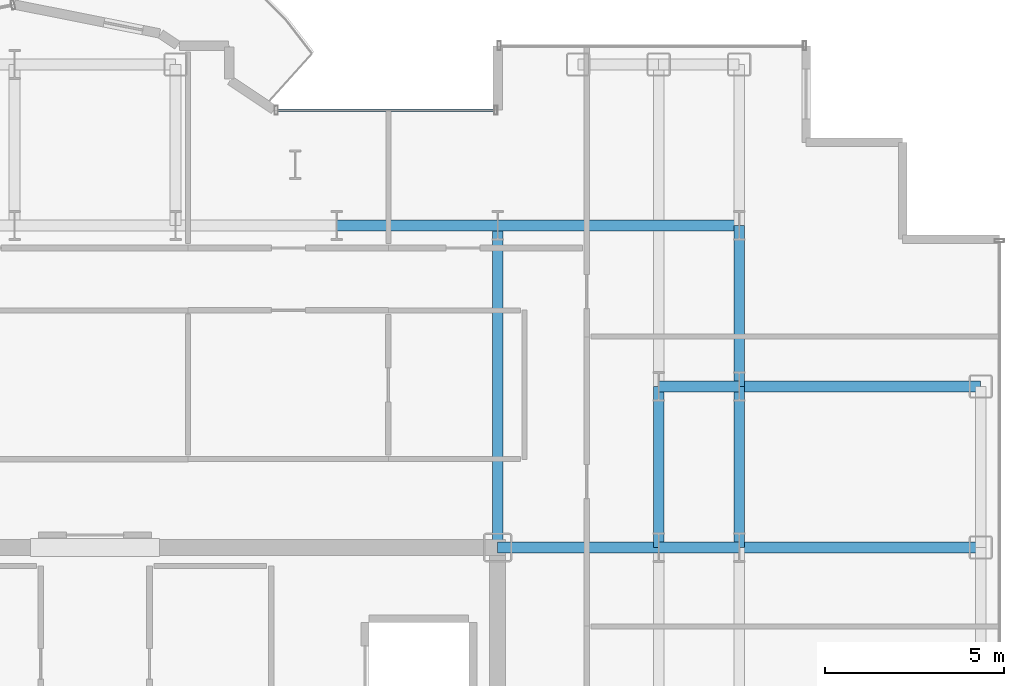
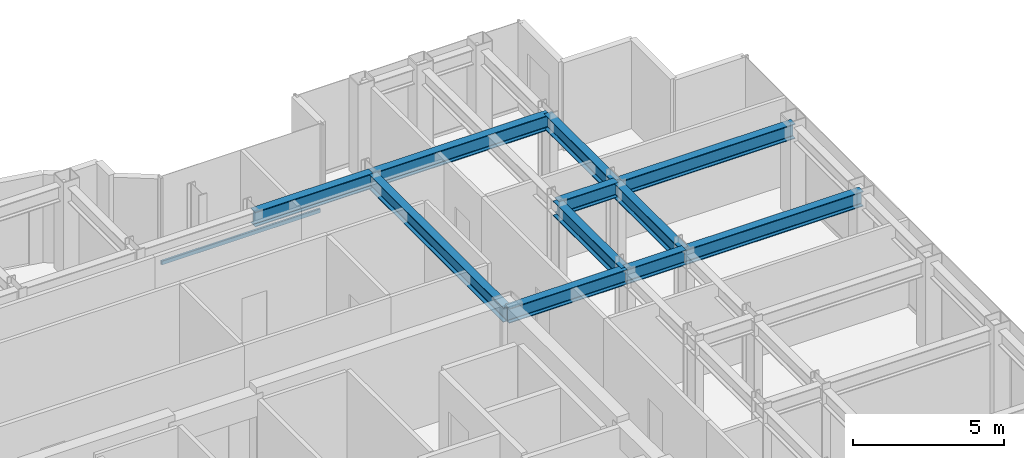
# One storey, part 11 of 21: 11 beams, 1 member, 1 element without a shape of its own.
"""IFC4 building model written with IfcOpenShell, lengths in metres."""

import ifcopenshell
import ifcopenshell.guid

model = None  # the IFC model being written
_history = None  # IfcOwnerHistory: only IFC2X3 demands one
_inside = {}  # id of a spatial element -> (the spatial element, [elements in it])
_under = {}  # id of a project, library or spatial element -> (it, [spatial elements below it])
_declared = {}  # id of a project -> (the project, [libraries it declares])
_typed = {}  # id of a type object -> (the type object, [elements of that type])
_made_of = {}  # id of a material, layer set ... -> (it, [elements and type objects made of it])


def new_model(schema):
    """Start an empty IFC model of exactly this schema.

    Asked for "IFC4X3", IfcOpenShell would pick the latest addendum, in which some entities
    have other attributes; the version numbers below select the first issue.
    IFC2X3 requires an IfcOwnerHistory on every rooted entity: one is made here for all.
    """
    global model, _history
    if schema == "IFC4X3":
        model = ifcopenshell.file(schema_version=(4, 3, 0, 0))
    else:
        model = ifcopenshell.file(schema=schema)
    _inside.clear()
    _under.clear()
    _declared.clear()
    _typed.clear()
    _made_of.clear()
    _history = None
    if model.schema == "IFC2X3":
        org = make("IfcOrganization", Name="unknown")
        user = make(
            "IfcPersonAndOrganization",
            ThePerson=make("IfcPerson", FamilyName="unknown"),
            TheOrganization=org,
        )
        app = make(
            "IfcApplication",
            ApplicationDeveloper=org,
            Version="unknown",
            ApplicationFullName="unknown",
            ApplicationIdentifier="unknown",
        )
        _history = make(
            "IfcOwnerHistory",
            OwningUser=user,
            OwningApplication=app,
            ChangeAction="ADDED",
            CreationDate=0,
        )
    return model


def make(cls, **values):
    """One entity of the class cls with the attributes given. An attribute that is None is left unset."""
    return model.create_entity(
        cls, **{name: value for name, value in values.items() if value is not None}
    )


def rooted(cls, **values):
    """An entity with a GlobalId (a new one), such as an element, a storey or a relation."""
    return make(cls, GlobalId=ifcopenshell.guid.new(), OwnerHistory=_history, **values)


def si_unit(unit_type, name, prefix=None):
    """IfcSIUnit, for example si_unit("LENGTHUNIT", "METRE", prefix="MILLI")."""
    return make("IfcSIUnit", UnitType=unit_type, Prefix=prefix, Name=name)


def assignment(units):
    """IfcUnitAssignment: the units of a project."""
    return None if units is None else make("IfcUnitAssignment", Units=units)


def point(xyz):
    """IfcCartesianPoint."""
    return None if xyz is None else make("IfcCartesianPoint", Coordinates=xyz)


def direction(xyz):
    """IfcDirection."""
    return None if xyz is None else make("IfcDirection", DirectionRatios=xyz)


def frame(location, z_axis=None, x_axis=None):
    """IfcAxis2Placement3D, a coordinate frame: its origin and axes. An axis left out is left unset."""
    return make(
        "IfcAxis2Placement3D",
        Location=point(location),
        Axis=direction(z_axis),
        RefDirection=direction(x_axis),
    )


def frame_2d(location, x_axis=None):
    """IfcAxis2Placement2D, a coordinate frame in the plane: its origin and x axis."""
    return make(
        "IfcAxis2Placement2D", Location=point(location), RefDirection=direction(x_axis)
    )


def origin():
    """The frame at (0, 0, 0) with its axes left unset."""
    return frame((0.0, 0.0, 0.0))


def origin_2d():
    """The frame at (0, 0) in the plane with its x axis left unset."""
    return frame_2d((0.0, 0.0))


def place(relative_to, where):
    """IfcLocalPlacement: puts the frame where relative to a parent placement (None: the world)."""
    return make(
        "IfcLocalPlacement", PlacementRelTo=relative_to, RelativePlacement=where
    )


def context(
    kind, dimensions, precision=None, world=None, true_north=None, identifier=None
):
    """IfcGeometricRepresentationContext, for example the 3D "Model" context."""
    return make(
        "IfcGeometricRepresentationContext",
        ContextIdentifier=identifier,
        ContextType=kind,
        CoordinateSpaceDimension=dimensions,
        Precision=precision,
        WorldCoordinateSystem=world,
        TrueNorth=true_north,
    )


def subcontext(parent, identifier, kind, view, scale=None):
    """IfcGeometricRepresentationSubContext, for example "Body" below "Model"."""
    return make(
        "IfcGeometricRepresentationSubContext",
        ContextIdentifier=identifier,
        ContextType=kind,
        ParentContext=parent,
        TargetScale=scale,
        TargetView=view,
    )


def project(units=None, contexts=None):
    """IfcProject with its units and contexts."""
    return rooted(
        "IfcProject",
        Name="project",
        RepresentationContexts=contexts,
        UnitsInContext=assignment(units),
    )


def spatial(cls, under=None, at=None, **own):
    """A site, building, storey or space (cls), placed at a placement, below another one or the project."""
    s = rooted(cls, ObjectPlacement=at, **own)
    if under is not None:
        _under.setdefault(under.id(), (under, []))[1].append(s)
    return s


def profile(cls, at=None, kind="AREA", **sizes):
    """A parametric profile (cls). Its sizes go by their IFC names, for example OverallWidth=200.0."""
    return make(cls, ProfileType=kind, Position=at, **sizes)


def hollow_rectangle(**sizes):
    """IfcRectangleHollowProfileDef."""
    return profile("IfcRectangleHollowProfileDef", **sizes)


def i_section(**sizes):
    """IfcIShapeProfileDef."""
    return profile("IfcIShapeProfileDef", **sizes)


def extrude(swept, where, along, depth):
    """IfcExtrudedAreaSolid: the profile swept, set in the frame where, extruded along a direction by depth."""
    return make(
        "IfcExtrudedAreaSolid",
        SweptArea=swept,
        Position=where,
        ExtrudedDirection=direction(along),
        Depth=depth,
    )


def shape(context_of_items, identifier, shape_type, items):
    """IfcShapeRepresentation: the items that make up one representation, for example the "Body"."""
    return make(
        "IfcShapeRepresentation",
        ContextOfItems=context_of_items,
        RepresentationIdentifier=identifier,
        RepresentationType=shape_type,
        Items=items,
    )


def source(mapping_origin, context_of_items, identifier, shape_type, items):
    """IfcRepresentationMap: a shape defined once, which mapped items show again and again."""
    return make(
        "IfcRepresentationMap",
        MappingOrigin=mapping_origin,
        MappedRepresentation=shape(context_of_items, identifier, shape_type, items),
    )


def transform(
    local_origin,
    x_axis=None,
    y_axis=None,
    z_axis=None,
    scale=None,
    scale2=None,
    scale3=None,
    uniform=True,
):
    """IfcCartesianTransformationOperator3D, or its non-uniform kind. x_axis, y_axis, z_axis: its Axis1, 2, 3."""
    if uniform:
        return make(
            "IfcCartesianTransformationOperator3D",
            Axis1=direction(x_axis),
            Axis2=direction(y_axis),
            LocalOrigin=point(local_origin),
            Scale=scale,
            Axis3=direction(z_axis),
        )
    return make(
        "IfcCartesianTransformationOperator3DnonUniform",
        Axis1=direction(x_axis),
        Axis2=direction(y_axis),
        LocalOrigin=point(local_origin),
        Scale=scale,
        Axis3=direction(z_axis),
        Scale2=scale2,
        Scale3=scale3,
    )


def mapped(mapping_source, mapping_target):
    """IfcMappedItem: shows the shape of a source again, moved by a transform."""
    return make(
        "IfcMappedItem", MappingSource=mapping_source, MappingTarget=mapping_target
    )


def material(Name=None, Category=None):
    """IfcMaterial."""
    return make("IfcMaterial", Name=Name, Category=Category)


def layer(
    of_material, thickness, ventilated=None, Name=None, Category=None, Priority=None
):
    """IfcMaterialLayer: one layer of a wall or slab, of a material (None: an air gap)."""
    return make(
        "IfcMaterialLayer",
        Material=of_material,
        LayerThickness=thickness,
        IsVentilated=ventilated,
        Name=Name,
        Category=Category,
        Priority=Priority,
    )


def layer_set(layers, Name=None):
    """IfcMaterialLayerSet."""
    return make("IfcMaterialLayerSet", MaterialLayers=layers, LayerSetName=Name)


def material_profile(
    of_material, cross_section, Name=None, Category=None, Priority=None
):
    """IfcMaterialProfile: a cross section and its material."""
    return make(
        "IfcMaterialProfile",
        Name=Name,
        Material=of_material,
        Profile=cross_section,
        Priority=Priority,
        Category=Category,
    )


def profile_set(profiles, Name=None, composite=None):
    """IfcMaterialProfileSet."""
    return make(
        "IfcMaterialProfileSet",
        Name=Name,
        MaterialProfiles=profiles,
        CompositeProfile=composite,
    )


def made_of(thing, what):
    """Note that an element or type object is made of a material, layer set ...; save() writes the relation."""
    if what is not None:
        _made_of.setdefault(what.id(), (what, []))[1].append(thing)
    return thing


def type_object(cls, material=None, **own):
    """A type object (cls), such as IfcWallType, which elements share."""
    return made_of(rooted(cls, **own), material)


def element(
    cls,
    number,
    at=None,
    inside=None,
    cuts=None,
    type_object=None,
    material=None,
    context=None,
    identifier="Body",
    shape_type=None,
    held_by="IfcProductDefinitionShape",
    body=None,
    shapes=None,
    **own,
):
    """One element of the class cls, such as IfcWall. Its Tag is "e" and its number.

    at: its placement. inside: the storey or other place that contains it. cuts: it is an
    opening in that element (IfcRelVoidsElement). A single representation is given by context,
    identifier, shape_type and body (its items); several are given by shapes. held_by: the class
    of the entity that holds the representations. save() writes the other relations.
    """
    e = rooted(cls, Tag="e%d" % number, ObjectPlacement=at, **own)
    if body is not None:
        shapes = [shape(context, identifier, shape_type, body)]
    if shapes is not None:
        e.Representation = make(held_by, Representations=shapes)
    if inside is not None:
        _inside.setdefault(inside.id(), (inside, []))[1].append(e)
    if cuts is not None:
        rooted(
            "IfcRelVoidsElement", RelatingBuildingElement=cuts, RelatedOpeningElement=e
        )
    if type_object is not None:
        _typed.setdefault(type_object.id(), (type_object, []))[1].append(e)
    return made_of(e, material)


def aggregate(whole, parts):
    """IfcRelAggregates: a whole, such as a stair, and the parts it consists of."""
    return rooted("IfcRelAggregates", RelatingObject=whole, RelatedObjects=parts)


def save(model, path):
    """Write the relations noted so far, then the file.

    IfcRelAggregates (storeys below a building ...), IfcRelContainedInSpatialStructure (elements
    in a storey), IfcRelDefinesByType, IfcRelAssociatesMaterial and IfcRelDeclares: one each for
    every whole, place, type object, material and project.
    """
    for whole, parts in _under.values():
        aggregate(whole, parts)
    for where, things in _inside.values():
        rooted(
            "IfcRelContainedInSpatialStructure",
            RelatedElements=things,
            RelatingStructure=where,
        )
    for kind, things in _typed.values():
        rooted("IfcRelDefinesByType", RelatedObjects=things, RelatingType=kind)
    for what, things in _made_of.values():
        rooted("IfcRelAssociatesMaterial", RelatedObjects=things, RelatingMaterial=what)
    for by, libraries in _declared.values():
        rooted("IfcRelDeclares", RelatingContext=by, RelatedDefinitions=libraries)
    model.write(path)


model = new_model("IFC4")

# Units and contexts
model_context = context("Model", 3, precision=1e-05, world=origin(), true_north=direction((0.0, 1.0)))
body_context = subcontext(model_context, "Body", "Model", "MODEL_VIEW")
ifc_project = project(units=[si_unit("LENGTHUNIT", "METRE"), si_unit("AREAUNIT", "SQUARE_METRE"), si_unit("VOLUMEUNIT", "CUBIC_METRE"), si_unit("PLANEANGLEUNIT", "RADIAN"), si_unit("MASSUNIT", "GRAM", prefix="KILO")], contexts=[model_context])

# Site, building, storey
site_placement = place(None, origin())
site = spatial("IfcSite", under=ifc_project, at=site_placement, CompositionType="ELEMENT")
building_placement = place(site_placement, origin())
building = spatial("IfcBuilding", under=site, at=building_placement, Name="Nefas-Gora Pilgrimage Tower", CompositionType="ELEMENT")
storey_placement = place(building_placement, frame((0.0, 0.0, 210.39990234375)))
storey = spatial("IfcBuildingStorey", under=building, at=storey_placement, Name="L52", CompositionType="ELEMENT", Elevation=210.39990234375)

# Beams
ifc_material_1 = material(Name="Steel S355", Category="steel")
ifc_material_profile_1 = material_profile(ifc_material_1, i_section(OverallWidth=0.300048828125, OverallDepth=0.60009765625, WebThickness=0.015380859375, FlangeThickness=0.030029296875, FilletRadius=0.027099609375, at=origin_2d()), Name="HEB 600")
ifc_profile_set_1 = profile_set([ifc_material_profile_1], Name="Steel S355")
beam_type = type_object("IfcBeamType", Name="BM-GIR-HEB600", PredefinedType="BEAM", material=ifc_profile_set_1)
shared_shape_1 = source(origin(), body_context, "Body", "SweptSolid", [
    extrude(i_section(OverallWidth=0.300048828125, OverallDepth=0.60009765625, WebThickness=0.015380859375, FlangeThickness=0.030029296875, FilletRadius=0.027099609375, at=origin_2d()), origin(), (0.0, 0.0, 1.0), 9.0),
])
beam_placement = place(storey_placement, frame((11.25, 9.0, 3.25), z_axis=(0.0, 1.0, 0.0), x_axis=(-1.0, 0.0, 0.0)))
element("IfcBeam", 1, at=beam_placement, inside=storey, type_object=beam_type, Name="L52 G-04 beam", PredefinedType="BEAM", context=body_context, shape_type="MappedRepresentation", body=[
    mapped(shared_shape_1, transform((0.0, 0.0, 0.0), x_axis=(1.0, 0.0, 0.0), y_axis=(0.0, 1.0, 0.0), z_axis=(0.0, 0.0, 1.0), scale=1.0)),
])
shared_shape_2 = source(origin(), body_context, "Body", "SweptSolid", [
    extrude(i_section(OverallWidth=0.300048828125, OverallDepth=0.60009765625, WebThickness=0.015380859375, FlangeThickness=0.030029296875, FilletRadius=0.027099609375, at=origin_2d()), origin(), (0.0, 0.0, 1.0), 4.5),
])
for number, where, z_axis, x_axis, name in (
    (2, (6.75, 18.0, 3.25), (1.0, 0.0, 0.0), (0.0, 1.0, 0.0), "L52 G-04 beam"),
    (3, (11.25, 9.0, 3.25), (1.0, 0.0, 0.0), (0.0, 1.0, 0.0), "L52 G-04 beam"),
    (4, (15.75, 9.0, 3.25), (0.0, 1.0, 0.0), (-1.0, 0.0, 0.0), "L52 G-04 beam"),
    (5, (18.0, 9.0, 3.25), (0.0, 1.0, 0.0), (-1.0, 0.0, 0.0), "L52 G-04 beam"),
    (6, (18.0, 13.5, 3.25), (0.0, 1.0, 0.0), (-1.0, 0.0, 0.0), "L52 G-04 beam"),
):
    element("IfcBeam", number, at=place(storey_placement, frame(where, z_axis=z_axis, x_axis=x_axis)), inside=storey, type_object=beam_type, Name=name, PredefinedType="BEAM", context=body_context, shape_type="MappedRepresentation", body=[
        mapped(shared_shape_2, transform((0.0, 0.0, 0.0), x_axis=(1.0, 0.0, 0.0), y_axis=(0.0, 1.0, 0.0), z_axis=(0.0, 0.0, 1.0), scale=1.0)),
    ])
shared_shape_3 = source(origin(), body_context, "Body", "SweptSolid", [
    extrude(i_section(OverallWidth=0.300048828125, OverallDepth=0.60009765625, WebThickness=0.015380859375, FlangeThickness=0.030029296875, FilletRadius=0.027099609375, at=origin_2d()), origin(), (0.0, 0.0, 1.0), 6.75),
])
for number, where, z_axis, x_axis, name in (
    (7, (11.25, 18.0, 3.25), (1.0, 0.0, 0.0), (0.0, 1.0, 0.0), "L52 G-04 beam"),
    (8, (18.0, 9.0, 3.25), (1.0, 0.0, 0.0), (0.0, 1.0, 0.0), "L52 G-04 beam"),
    (9, (18.0, 13.5, 3.25), (1.0, 0.0, 0.0), (0.0, 1.0, 0.0), "L52 G-04 beam"),
):
    element("IfcBeam", number, at=place(storey_placement, frame(where, z_axis=z_axis, x_axis=x_axis)), inside=storey, type_object=beam_type, Name=name, PredefinedType="BEAM", context=body_context, shape_type="MappedRepresentation", body=[
        mapped(shared_shape_3, transform((0.0, 0.0, 0.0), x_axis=(1.0, 0.0, 0.0), y_axis=(0.0, 1.0, 0.0), z_axis=(0.0, 0.0, 1.0), scale=1.0)),
    ])
shared_shape_4 = source(origin(), body_context, "Body", "SweptSolid", [
    extrude(i_section(OverallWidth=0.300048828125, OverallDepth=0.60009765625, WebThickness=0.015380859375, FlangeThickness=0.030029296875, FilletRadius=0.027099609375, at=origin_2d()), origin(), (0.0, 0.0, 1.0), 2.25),
])
for number, where, z_axis, x_axis, name in (
    (10, (15.75, 9.0, 3.25), (1.0, 0.0, 0.0), (0.0, 1.0, 0.0), "L52 G-04 beam"),
    (11, (15.75, 13.5, 3.25), (1.0, 0.0, 0.0), (0.0, 1.0, 0.0), "L52 G-04 beam"),
):
    element("IfcBeam", number, at=place(storey_placement, frame(where, z_axis=z_axis, x_axis=x_axis)), inside=storey, type_object=beam_type, Name=name, PredefinedType="BEAM", context=body_context, shape_type="MappedRepresentation", body=[
        mapped(shared_shape_4, transform((0.0, 0.0, 0.0), x_axis=(1.0, 0.0, 0.0), y_axis=(0.0, 1.0, 0.0), z_axis=(0.0, 0.0, 1.0), scale=1.0)),
    ])

# Curtain wall, member
ifc_material_2 = material(Name="Dark ceramic-fritted solar-control aluminium-glass curtain wall", Category="aluminium")
ifc_layer = layer(ifc_material_2, 0.219970703125)
ifc_layer_set = layer_set([ifc_layer], Name="Dark ceramic-fritted solar-control aluminium-glass curtain wall")
curtain_wall_type = type_object("IfcCurtainWallType", Name="CW-SYS-5", PredefinedType="NOTDEFINED", material=ifc_layer_set)
curtain_wall_placement = place(storey_placement, origin())
curtain_wall = element("IfcCurtainWall", 12, at=curtain_wall_placement, inside=storey, type_object=curtain_wall_type, Name="L52 Unitised Curtain Wall CW5", PredefinedType="NOTDEFINED")
ifc_material_3 = material(Name="Anodised architectural aluminium", Category="aluminium")
ifc_material_profile_2 = material_profile(ifc_material_3, hollow_rectangle(XDim=0.080078125, YDim=0.159912109375, WallThickness=0.00439453125, InnerFilletRadius=0.00439453125, OuterFilletRadius=0.009033203125, at=origin_2d()), Name="ALU TRANSOM 80x160")
ifc_profile_set_2 = profile_set([ifc_material_profile_2], Name="Anodised architectural aluminium")
member_type = type_object("IfcMemberType", Name="CWM-TRN-5", PredefinedType="USERDEFINED", material=ifc_profile_set_2)
shared_shape_5 = source(origin(), body_context, "Body", "SweptSolid", [
    extrude(hollow_rectangle(XDim=0.080078125, YDim=0.159912109375, WallThickness=0.00439453125, InnerFilletRadius=0.00439453125, OuterFilletRadius=0.009033203125, at=origin_2d()), origin(), (0.0, 0.0, 1.0), 6.052001953125),
])
member_placement = place(storey_placement, frame((11.159912109375, 21.219970703125, 0.050048828125), z_axis=(-1.0, 0.0, 0.0), x_axis=(0.0, -1.0, 0.0)))
member = element("IfcMember", 13, at=member_placement, type_object=member_type, Name="CW5 Spandrel Transom", ObjectType="TRANSOM", PredefinedType="USERDEFINED", context=body_context, shape_type="MappedRepresentation", body=[
    mapped(shared_shape_5, transform((0.0, 0.0, 0.0), x_axis=(1.0, 0.0, 0.0), y_axis=(0.0, 1.0, 0.0), z_axis=(0.0, 0.0, 1.0), scale=1.0)),
])
aggregate(curtain_wall, [member])

save(model, "model.ifc")
